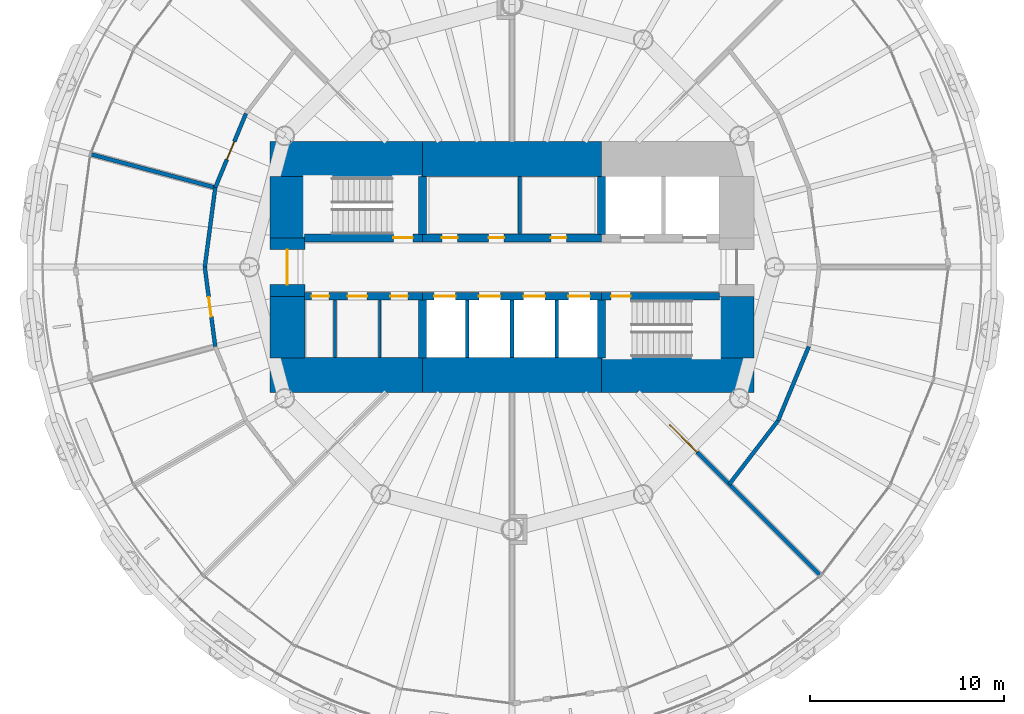
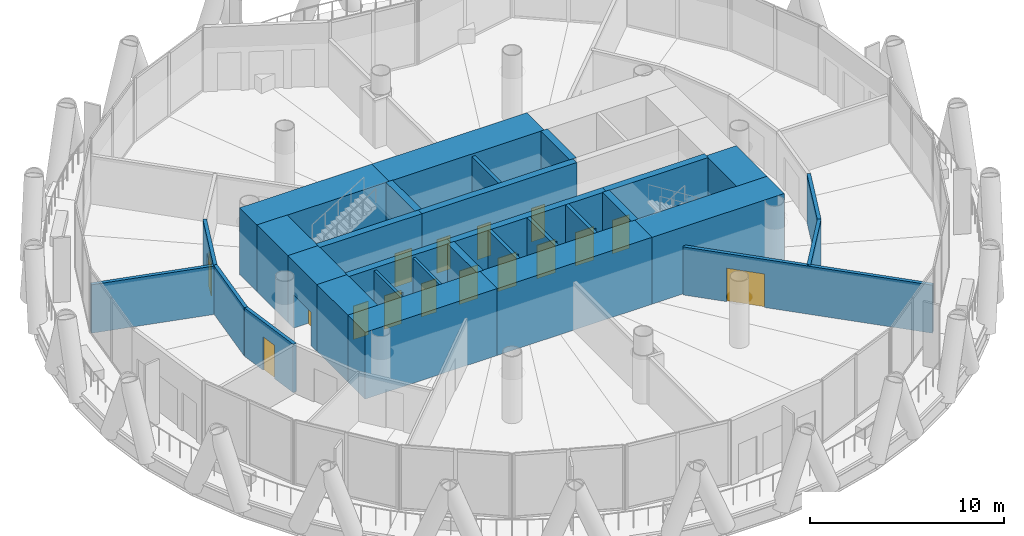
# One storey, part 10 of 15: 31 walls, 16 doors, 16 openings.
"""IFC4 building model written with IfcOpenShell, lengths in metres."""

from ifc_helpers import new_model, si_unit, direction, frame, frame_2d, origin, place, context, subcontext, project, spatial, rectangle, extrude, material, layer, layer_set, type_object, element, fill, save


model = new_model("IFC4")

# Units and contexts
model_context = context("Model", 3, precision=1e-05, world=origin(), true_north=direction((0.0, 1.0)))
body_context = subcontext(model_context, "Body", "Model", "MODEL_VIEW")
ifc_project = project(units=[si_unit("LENGTHUNIT", "METRE"), si_unit("AREAUNIT", "SQUARE_METRE"), si_unit("VOLUMEUNIT", "CUBIC_METRE"), si_unit("PLANEANGLEUNIT", "RADIAN"), si_unit("MASSUNIT", "GRAM", prefix="KILO")], contexts=[model_context])

# Site, building, storey
site_placement = place(None, origin())
site = spatial("IfcSite", under=ifc_project, at=site_placement, CompositionType="ELEMENT")
building_placement = place(site_placement, origin())
building = spatial("IfcBuilding", under=site, at=building_placement, Name="Qaws Media Tower", CompositionType="ELEMENT")
storey_placement = place(building_placement, frame((0.0, 0.0, 147.800048828125)))
storey = spatial("IfcBuildingStorey", under=building, at=storey_placement, Name="L33", CompositionType="ELEMENT", Elevation=147.800048828125)

# Wall, opening, door
ifc_material_1 = material(Name="Concrete C60/75", Category="concrete")
ifc_layer_1 = layer(ifc_material_1, 0.39990234375)
ifc_layer_set_1 = layer_set([ifc_layer_1], Name="Core inner wall 400")
wall_type_1 = type_object("IfcWallType", Name="Core inner wall 400", PredefinedType="SHEAR", material=ifc_layer_set_1)
wall_1_placement = place(storey_placement, frame((49.330078125, 51.5, 0.0), z_axis=(0.0, 0.0, 1.0), x_axis=(1.0, 0.0, 0.0)))
wall_1 = element("IfcWall", 1, at=wall_1_placement, inside=storey, type_object=wall_type_1, Name="W321 SW4 core wall SPNW L33", PredefinedType="SHEAR", context=body_context, shape_type="SweptSolid", body=[
    extrude(rectangle(XDim=6.06982421875, YDim=0.39990234375, at=frame_2d((3.034912109375, 0.0))), origin(), (0.0, 0.0, 1.0), 4.199951171875),
])
opening_1_placement = place(wall_1_placement, frame((4.570068359375, 0.0, 0.0)))
opening_1 = element("IfcOpeningElement", 2, at=opening_1_placement, cuts=wall_1, Name="Opening D1", PredefinedType="OPENING", context=body_context, shape_type="SweptSolid", body=[
    extrude(rectangle(XDim=1.0, YDim=2.10009765625, at=frame_2d((0.5, 1.050048828125))), frame((0.0, 0.2099609375, 0.0), z_axis=(0.0, -1.0, 0.0), x_axis=(1.0, 0.0, 0.0)), (0.0, 0.0, 1.0), 0.419921875),
])
ifc_material_2 = material(Name="Steel, fire rated", Category="steel")
door_type_1 = type_object("IfcDoorType", Name="Stair door 1000 FD120", OperationType="SINGLE_SWING_LEFT", PredefinedType="DOOR", material=ifc_material_2)
door_1_placement = place(opening_1_placement, origin())
door_1 = element("IfcDoor", 3, at=door_1_placement, inside=storey, type_object=door_type_1, Name="D1 stair S1 door L33 in wall W321", OperationType="SINGLE_SWING_LEFT", OverallHeight=2.10009765625, OverallWidth=1.0, PredefinedType="DOOR", context=body_context, shape_type="SweptSolid", body=[
    extrude(rectangle(XDim=1.0, YDim=2.10009765625, at=frame_2d((0.5, 1.050048828125))), frame((0.0, 0.02490234375, 0.0), z_axis=(0.0, -1.0, 0.0), x_axis=(1.0, 0.0, 0.0)), (0.0, 0.0, 1.0), 0.050048828125),
])
fill(opening_1, door_1)

# Wall, openings, doors
wall_2_placement = place(storey_placement, frame((55.39990234375, 51.5, 0.0), z_axis=(0.0, 0.0, 1.0), x_axis=(1.0, 0.0, 0.0)))
wall_2 = element("IfcWall", 4, at=wall_2_placement, inside=storey, type_object=wall_type_1, Name="W314 SW4 core wall SPN L33", PredefinedType="SHEAR", context=body_context, shape_type="SweptSolid", body=[
    extrude(rectangle(XDim=9.2001953125, YDim=0.39990234375, at=frame_2d((4.60009765625, 0.0))), origin(), (0.0, 0.0, 1.0), 4.199951171875),
])
opening_2_placement = place(wall_2_placement, frame((1.0, 0.0, 0.0)))
opening_2 = element("IfcOpeningElement", 5, at=opening_2_placement, cuts=wall_2, Name="Opening D23", PredefinedType="OPENING", context=body_context, shape_type="SweptSolid", body=[
    extrude(rectangle(XDim=0.800048828125, YDim=2.10009765625, at=frame_2d((0.39990234375, 1.050048828125))), frame((0.0, 0.2099609375, 0.0), z_axis=(0.0, -1.0, 0.0), x_axis=(1.0, 0.0, 0.0)), (0.0, 0.0, 1.0), 0.419921875),
])
opening_3_placement = place(wall_2_placement, frame((3.39990234375, 0.0, 0.0)))
opening_3 = element("IfcOpeningElement", 6, at=opening_3_placement, cuts=wall_2, Name="Opening D23", PredefinedType="OPENING", context=body_context, shape_type="SweptSolid", body=[
    extrude(rectangle(XDim=0.800048828125, YDim=2.10009765625, at=frame_2d((0.39990234375, 1.050048828125))), frame((0.0, 0.2099609375, 0.0), z_axis=(0.0, -1.0, 0.0), x_axis=(1.0, 0.0, 0.0)), (0.0, 0.0, 1.0), 0.419921875),
])
opening_4_placement = place(wall_2_placement, frame((6.60009765625, 0.0, 0.0)))
opening_4 = element("IfcOpeningElement", 7, at=opening_4_placement, cuts=wall_2, Name="Opening D23", PredefinedType="OPENING", context=body_context, shape_type="SweptSolid", body=[
    extrude(rectangle(XDim=0.800048828125, YDim=2.10009765625, at=frame_2d((0.39990234375, 1.050048828125))), frame((0.0, 0.2099609375, 0.0), z_axis=(0.0, -1.0, 0.0), x_axis=(1.0, 0.0, 0.0)), (0.0, 0.0, 1.0), 0.419921875),
])
ifc_material_3 = material(Name="Steel, fire rated", Category="steel")
door_type_2 = type_object("IfcDoorType", Name="Core room door 800x2100", OperationType="SINGLE_SWING_LEFT", PredefinedType="DOOR", material=ifc_material_3)
door_2_placement = place(opening_2_placement, origin())
door_2 = element("IfcDoor", 8, at=door_2_placement, inside=storey, type_object=door_type_2, Name="D23 Ladies toilets door L33 1 in wall W314", OperationType="SINGLE_SWING_LEFT", OverallHeight=2.10009765625, OverallWidth=0.800048828125, PredefinedType="DOOR", context=body_context, shape_type="SweptSolid", body=[
    extrude(rectangle(XDim=0.800048828125, YDim=2.10009765625, at=frame_2d((0.39990234375, 1.050048828125))), frame((0.0, 0.02490234375, 0.0), z_axis=(0.0, -1.0, 0.0), x_axis=(1.0, 0.0, 0.0)), (0.0, 0.0, 1.0), 0.050048828125),
])
fill(opening_2, door_2)
door_3_placement = place(opening_3_placement, origin())
door_3 = element("IfcDoor", 9, at=door_3_placement, inside=storey, type_object=door_type_2, Name="D23 Ladies toilets door L33 2 in wall W314", OperationType="SINGLE_SWING_LEFT", OverallHeight=2.10009765625, OverallWidth=0.800048828125, PredefinedType="DOOR", context=body_context, shape_type="SweptSolid", body=[
    extrude(rectangle(XDim=0.800048828125, YDim=2.10009765625, at=frame_2d((0.39990234375, 1.050048828125))), frame((0.0, 0.02490234375, 0.0), z_axis=(0.0, -1.0, 0.0), x_axis=(1.0, 0.0, 0.0)), (0.0, 0.0, 1.0), 0.050048828125),
])
fill(opening_3, door_3)
door_4_placement = place(opening_4_placement, origin())
door_4 = element("IfcDoor", 10, at=door_4_placement, inside=storey, type_object=door_type_2, Name="D23 Gents toilets door L33 in wall W314", OperationType="SINGLE_SWING_LEFT", OverallHeight=2.10009765625, OverallWidth=0.800048828125, PredefinedType="DOOR", context=body_context, shape_type="SweptSolid", body=[
    extrude(rectangle(XDim=0.800048828125, YDim=2.10009765625, at=frame_2d((0.39990234375, 1.050048828125))), frame((0.0, 0.02490234375, 0.0), z_axis=(0.0, -1.0, 0.0), x_axis=(1.0, 0.0, 0.0)), (0.0, 0.0, 1.0), 0.050048828125),
])
fill(opening_4, door_4)

wall_3_placement = place(storey_placement, frame((49.330078125, 48.5, 0.0), z_axis=(0.0, 0.0, 1.0), x_axis=(1.0, 0.0, 0.0)))
wall_3 = element("IfcWall", 11, at=wall_3_placement, inside=storey, type_object=wall_type_1, Name="W320 SW4 core wall SPSW L33", PredefinedType="SHEAR", context=body_context, shape_type="SweptSolid", body=[
    extrude(rectangle(XDim=6.06982421875, YDim=0.39990234375, at=frame_2d((3.034912109375, 0.0))), origin(), (0.0, 0.0, 1.0), 4.199951171875),
])
opening_5_placement = place(wall_3_placement, frame((0.3701171875, 0.0, 0.0)))
opening_5 = element("IfcOpeningElement", 12, at=opening_5_placement, cuts=wall_3, Name="Opening D25", PredefinedType="OPENING", context=body_context, shape_type="SweptSolid", body=[
    extrude(rectangle(XDim=0.89990234375, YDim=2.10009765625, at=frame_2d((0.449951171875, 1.050048828125))), frame((0.0, 0.2099609375, 0.0), z_axis=(0.0, -1.0, 0.0), x_axis=(1.0, 0.0, 0.0)), (0.0, 0.0, 1.0), 0.419921875),
])
opening_6_placement = place(wall_3_placement, frame((2.219970703125, 0.0, 0.0)))
opening_6 = element("IfcOpeningElement", 13, at=opening_6_placement, cuts=wall_3, Name="Opening D4", PredefinedType="OPENING", context=body_context, shape_type="SweptSolid", body=[
    extrude(rectangle(XDim=1.0, YDim=2.10009765625, at=frame_2d((0.5, 1.050048828125))), frame((0.0, 0.2099609375, 0.0), z_axis=(0.0, -1.0, 0.0), x_axis=(1.0, 0.0, 0.0)), (0.0, 0.0, 1.0), 0.419921875),
])
opening_7_placement = place(wall_3_placement, frame((4.419921875, 0.0, 0.0)))
opening_7 = element("IfcOpeningElement", 14, at=opening_7_placement, cuts=wall_3, Name="Opening D25", PredefinedType="OPENING", context=body_context, shape_type="SweptSolid", body=[
    extrude(rectangle(XDim=0.89990234375, YDim=2.10009765625, at=frame_2d((0.449951171875, 1.050048828125))), frame((0.0, 0.2099609375, 0.0), z_axis=(0.0, -1.0, 0.0), x_axis=(1.0, 0.0, 0.0)), (0.0, 0.0, 1.0), 0.419921875),
])
ifc_material_4 = material(Name="Timber veneered", Category="wood")
door_type_3 = type_object("IfcDoorType", Name="Accessible WC door 1000", OperationType="SLIDING_TO_LEFT", PredefinedType="DOOR", material=ifc_material_4)
door_5_placement = place(opening_6_placement, origin())
door_5 = element("IfcDoor", 15, at=door_5_placement, inside=storey, type_object=door_type_3, Name="D4 toilet door 2 L33 in wall W320", OperationType="SLIDING_TO_LEFT", OverallHeight=2.10009765625, OverallWidth=1.0, PredefinedType="DOOR", context=body_context, shape_type="SweptSolid", body=[
    extrude(rectangle(XDim=1.0, YDim=2.10009765625, at=frame_2d((0.5, 1.050048828125))), frame((0.0, 0.02490234375, 0.0), z_axis=(0.0, -1.0, 0.0), x_axis=(1.0, 0.0, 0.0)), (0.0, 0.0, 1.0), 0.050048828125),
])
fill(opening_6, door_5)
ifc_material_5 = material(Name="Steel, fire rated", Category="steel")
door_type_4 = type_object("IfcDoorType", Name="Core service door 900", OperationType="SINGLE_SWING_RIGHT", PredefinedType="DOOR", material=ifc_material_5)
door_6_placement = place(opening_5_placement, origin())
door_6 = element("IfcDoor", 16, at=door_6_placement, inside=storey, type_object=door_type_4, Name="D25 toilet door 1 L33 in wall W320", OperationType="SINGLE_SWING_RIGHT", OverallHeight=2.10009765625, OverallWidth=0.89990234375, PredefinedType="DOOR", context=body_context, shape_type="SweptSolid", body=[
    extrude(rectangle(XDim=0.89990234375, YDim=2.10009765625, at=frame_2d((0.449951171875, 1.050048828125))), frame((0.0, 0.02490234375, 0.0), z_axis=(0.0, -1.0, 0.0), x_axis=(1.0, 0.0, 0.0)), (0.0, 0.0, 1.0), 0.050048828125),
])
fill(opening_5, door_6)
door_7_placement = place(opening_7_placement, origin())
door_7 = element("IfcDoor", 17, at=door_7_placement, inside=storey, type_object=door_type_4, Name="D25 toilet door 3 L33 in wall W320", OperationType="SINGLE_SWING_RIGHT", OverallHeight=2.10009765625, OverallWidth=0.89990234375, PredefinedType="DOOR", context=body_context, shape_type="SweptSolid", body=[
    extrude(rectangle(XDim=0.89990234375, YDim=2.10009765625, at=frame_2d((0.449951171875, 1.050048828125))), frame((0.0, 0.02490234375, 0.0), z_axis=(0.0, -1.0, 0.0), x_axis=(1.0, 0.0, 0.0)), (0.0, 0.0, 1.0), 0.050048828125),
])
fill(opening_7, door_7)

wall_4_placement = place(storey_placement, frame((55.39990234375, 48.5, 0.0), z_axis=(0.0, 0.0, 1.0), x_axis=(1.0, 0.0, 0.0)))
wall_4 = element("IfcWall", 18, at=wall_4_placement, inside=storey, type_object=wall_type_1, Name="W313 SW4 core wall SPS L33", PredefinedType="SHEAR", context=body_context, shape_type="SweptSolid", body=[
    extrude(rectangle(XDim=9.2001953125, YDim=0.39990234375, at=frame_2d((4.60009765625, 0.0))), origin(), (0.0, 0.0, 1.0), 4.199951171875),
])
opening_8_placement = place(wall_4_placement, frame((0.60009765625, 0.0, 0.0)))
opening_8 = element("IfcOpeningElement", 19, at=opening_8_placement, cuts=wall_4, Name="Opening LD", PredefinedType="OPENING", context=body_context, shape_type="SweptSolid", body=[
    extrude(rectangle(XDim=1.10009765625, YDim=2.10009765625, at=frame_2d((0.550048828125, 1.050048828125))), frame((0.0, 0.2099609375, 0.0), z_axis=(0.0, -1.0, 0.0), x_axis=(1.0, 0.0, 0.0)), (0.0, 0.0, 1.0), 0.419921875),
])
opening_9_placement = place(wall_4_placement, frame((2.89990234375, 0.0, 0.0)))
opening_9 = element("IfcOpeningElement", 20, at=opening_9_placement, cuts=wall_4, Name="Opening LD", PredefinedType="OPENING", context=body_context, shape_type="SweptSolid", body=[
    extrude(rectangle(XDim=1.10009765625, YDim=2.10009765625, at=frame_2d((0.550048828125, 1.050048828125))), frame((0.0, 0.2099609375, 0.0), z_axis=(0.0, -1.0, 0.0), x_axis=(1.0, 0.0, 0.0)), (0.0, 0.0, 1.0), 0.419921875),
])
opening_10_placement = place(wall_4_placement, frame((5.199951171875, 0.0, 0.0)))
opening_10 = element("IfcOpeningElement", 21, at=opening_10_placement, cuts=wall_4, Name="Opening LD", PredefinedType="OPENING", context=body_context, shape_type="SweptSolid", body=[
    extrude(rectangle(XDim=1.10009765625, YDim=2.10009765625, at=frame_2d((0.550048828125, 1.050048828125))), frame((0.0, 0.2099609375, 0.0), z_axis=(0.0, -1.0, 0.0), x_axis=(1.0, 0.0, 0.0)), (0.0, 0.0, 1.0), 0.419921875),
])
opening_11_placement = place(wall_4_placement, frame((7.5, 0.0, 0.0)))
opening_11 = element("IfcOpeningElement", 22, at=opening_11_placement, cuts=wall_4, Name="Opening LD", PredefinedType="OPENING", context=body_context, shape_type="SweptSolid", body=[
    extrude(rectangle(XDim=1.10009765625, YDim=2.10009765625, at=frame_2d((0.550048828125, 1.050048828125))), frame((0.0, 0.2099609375, 0.0), z_axis=(0.0, -1.0, 0.0), x_axis=(1.0, 0.0, 0.0)), (0.0, 0.0, 1.0), 0.419921875),
])
ifc_material_6 = material(Name="Steel, fire rated", Category="steel")
door_type_5 = type_object("IfcDoorType", Name="Lift landing door 1100", OperationType="SLIDING_TO_LEFT", PredefinedType="DOOR", material=ifc_material_6)
door_8_placement = place(opening_8_placement, origin())
door_8 = element("IfcDoor", 23, at=door_8_placement, inside=storey, type_object=door_type_5, Name="P5 landing door L33 in wall W313", OperationType="SLIDING_TO_LEFT", OverallHeight=2.10009765625, OverallWidth=1.10009765625, PredefinedType="DOOR", context=body_context, shape_type="SweptSolid", body=[
    extrude(rectangle(XDim=1.10009765625, YDim=2.10009765625, at=frame_2d((0.550048828125, 1.050048828125))), frame((0.0, 0.02490234375, 0.0), z_axis=(0.0, -1.0, 0.0), x_axis=(1.0, 0.0, 0.0)), (0.0, 0.0, 1.0), 0.050048828125),
])
fill(opening_8, door_8)
door_9_placement = place(opening_9_placement, origin())
door_9 = element("IfcDoor", 24, at=door_9_placement, inside=storey, type_object=door_type_5, Name="P6 landing door L33 in wall W313", OperationType="SLIDING_TO_LEFT", OverallHeight=2.10009765625, OverallWidth=1.10009765625, PredefinedType="DOOR", context=body_context, shape_type="SweptSolid", body=[
    extrude(rectangle(XDim=1.10009765625, YDim=2.10009765625, at=frame_2d((0.550048828125, 1.050048828125))), frame((0.0, 0.02490234375, 0.0), z_axis=(0.0, -1.0, 0.0), x_axis=(1.0, 0.0, 0.0)), (0.0, 0.0, 1.0), 0.050048828125),
])
fill(opening_9, door_9)
door_10_placement = place(opening_10_placement, origin())
door_10 = element("IfcDoor", 25, at=door_10_placement, inside=storey, type_object=door_type_5, Name="P7 landing door L33 in wall W313", OperationType="SLIDING_TO_LEFT", OverallHeight=2.10009765625, OverallWidth=1.10009765625, PredefinedType="DOOR", context=body_context, shape_type="SweptSolid", body=[
    extrude(rectangle(XDim=1.10009765625, YDim=2.10009765625, at=frame_2d((0.550048828125, 1.050048828125))), frame((0.0, 0.02490234375, 0.0), z_axis=(0.0, -1.0, 0.0), x_axis=(1.0, 0.0, 0.0)), (0.0, 0.0, 1.0), 0.050048828125),
])
fill(opening_10, door_10)
door_11_placement = place(opening_11_placement, origin())
door_11 = element("IfcDoor", 26, at=door_11_placement, inside=storey, type_object=door_type_5, Name="P8 landing door L33 in wall W313", OperationType="SLIDING_TO_LEFT", OverallHeight=2.10009765625, OverallWidth=1.10009765625, PredefinedType="DOOR", context=body_context, shape_type="SweptSolid", body=[
    extrude(rectangle(XDim=1.10009765625, YDim=2.10009765625, at=frame_2d((0.550048828125, 1.050048828125))), frame((0.0, 0.02490234375, 0.0), z_axis=(0.0, -1.0, 0.0), x_axis=(1.0, 0.0, 0.0)), (0.0, 0.0, 1.0), 0.050048828125),
])
fill(opening_11, door_11)

# Wall, opening, door
wall_5_placement = place(storey_placement, frame((64.60009765625, 48.5, 0.0), z_axis=(0.0, 0.0, 1.0), x_axis=(1.0, 0.0, 0.0)))
wall_5 = element("IfcWall", 27, at=wall_5_placement, inside=storey, type_object=wall_type_1, Name="W325 SW4 core wall SPSE L33", PredefinedType="SHEAR", context=body_context, shape_type="SweptSolid", body=[
    extrude(rectangle(XDim=6.06982421875, YDim=0.39990234375, at=frame_2d((3.034912109375, 0.0))), origin(), (0.0, 0.0, 1.0), 4.199951171875),
])
opening_12_placement = place(wall_5_placement, frame((0.5, 0.0, 0.0)))
opening_12 = element("IfcOpeningElement", 28, at=opening_12_placement, cuts=wall_5, Name="Opening D1", PredefinedType="OPENING", context=body_context, shape_type="SweptSolid", body=[
    extrude(rectangle(XDim=1.0, YDim=2.10009765625, at=frame_2d((0.5, 1.050048828125))), frame((0.0, 0.2099609375, 0.0), z_axis=(0.0, -1.0, 0.0), x_axis=(1.0, 0.0, 0.0)), (0.0, 0.0, 1.0), 0.419921875),
])
door_12_placement = place(opening_12_placement, origin())
door_12 = element("IfcDoor", 29, at=door_12_placement, inside=storey, type_object=door_type_1, Name="D1 stair S2 door L33 in wall W325", OperationType="SINGLE_SWING_LEFT", OverallHeight=2.10009765625, OverallWidth=1.0, PredefinedType="DOOR", context=body_context, shape_type="SweptSolid", body=[
    extrude(rectangle(XDim=1.0, YDim=2.10009765625, at=frame_2d((0.5, 1.050048828125))), frame((0.0, 0.02490234375, 0.0), z_axis=(0.0, -1.0, 0.0), x_axis=(1.0, 0.0, 0.0)), (0.0, 0.0, 1.0), 0.050048828125),
])
fill(opening_12, door_12)

# Walls
for number, where, z_axis, x_axis, name in (
    (30, (55.39990234375, 51.679931640625, 0.0), (0.0, 0.0, 1.0), (0.0, 1.0, 0.0), "W323 SW4 core wall XNW L33"),
    (31, (64.60009765625, 51.679931640625, 0.0), (0.0, 0.0, 1.0), (0.0, 1.0, 0.0), "W327 SW4 core wall XNE L33"),
    (32, (55.39990234375, 48.320068359375, 0.0), (0.0, 0.0, 1.0), (0.0, -1.0, 0.0), "W322 SW4 core wall XSW L33"),
    (33, (64.60009765625, 48.320068359375, 0.0), (0.0, 0.0, 1.0), (0.0, -1.0, 0.0), "W324 SW4 core wall XSE L33"),
):
    element("IfcWall", number, at=place(storey_placement, frame(where, z_axis=z_axis, x_axis=x_axis)), inside=storey, type_object=wall_type_1, Name=name, PredefinedType="SHEAR", context=body_context, shape_type="SweptSolid", body=[
        extrude(rectangle(XDim=2.989990234375, YDim=0.39990234375, at=frame_2d((1.4951171875, 0.0))), origin(), (0.0, 0.0, 1.0), 4.199951171875),
    ])
ifc_material_7 = material(Name="Concrete C60/75", Category="concrete")
ifc_layer_2 = layer(ifc_material_7, 1.800048828125)
ifc_layer_set_2 = layer_set([ifc_layer_2], Name="Core wall 1800")
wall_type_2 = type_object("IfcWallType", Name="Core wall 1800", PredefinedType="SHEAR", material=ifc_layer_set_2)
wall_6_placement = place(storey_placement, frame((47.550048828125, 55.550048828125, 0.0), z_axis=(0.0, 0.0, 1.0), x_axis=(1.0, 0.0, 0.0)))
element("IfcWall", 34, at=wall_6_placement, inside=storey, type_object=wall_type_2, Name="W417 SW11 core wall NW L33", PredefinedType="SHEAR", context=body_context, shape_type="SweptSolid", body=[
    extrude(rectangle(XDim=7.849853515625, YDim=1.800048828125, at=frame_2d((3.9248046875, 0.0))), origin(), (0.0, 0.0, 1.0), 4.199951171875),
])
wall_7_placement = place(storey_placement, frame((55.39990234375, 55.550048828125, 0.0), z_axis=(0.0, 0.0, 1.0), x_axis=(1.0, 0.0, 0.0)))
element("IfcWall", 35, at=wall_7_placement, inside=storey, type_object=wall_type_2, Name="W421 SW11 core wall N L33", PredefinedType="SHEAR", context=body_context, shape_type="SweptSolid", body=[
    extrude(rectangle(XDim=9.2001953125, YDim=1.800048828125, at=frame_2d((4.60009765625, 0.0))), origin(), (0.0, 0.0, 1.0), 4.199951171875),
])
wall_8_placement = place(storey_placement, frame((47.550048828125, 44.449951171875, 0.0), z_axis=(0.0, 0.0, 1.0), x_axis=(1.0, 0.0, 0.0)))
element("IfcWall", 36, at=wall_8_placement, inside=storey, type_object=wall_type_2, Name="W416 SW11 core wall SW L33", PredefinedType="SHEAR", context=body_context, shape_type="SweptSolid", body=[
    extrude(rectangle(XDim=7.849853515625, YDim=1.800048828125, at=frame_2d((3.9248046875, 0.0))), origin(), (0.0, 0.0, 1.0), 4.199951171875),
])
wall_9_placement = place(storey_placement, frame((55.39990234375, 44.449951171875, 0.0), z_axis=(0.0, 0.0, 1.0), x_axis=(1.0, 0.0, 0.0)))
element("IfcWall", 37, at=wall_9_placement, inside=storey, type_object=wall_type_2, Name="W420 SW11 core wall S L33", PredefinedType="SHEAR", context=body_context, shape_type="SweptSolid", body=[
    extrude(rectangle(XDim=9.2001953125, YDim=1.800048828125, at=frame_2d((4.60009765625, 0.0))), origin(), (0.0, 0.0, 1.0), 4.199951171875),
])
wall_10_placement = place(storey_placement, frame((64.60009765625, 44.449951171875, 0.0), z_axis=(0.0, 0.0, 1.0), x_axis=(1.0, 0.0, 0.0)))
element("IfcWall", 38, at=wall_10_placement, inside=storey, type_object=wall_type_2, Name="W422 SW11 core wall SE L33", PredefinedType="SHEAR", context=body_context, shape_type="SweptSolid", body=[
    extrude(rectangle(XDim=7.849853515625, YDim=1.800048828125, at=frame_2d((3.9248046875, 0.0))), origin(), (0.0, 0.0, 1.0), 4.199951171875),
])
for number, where, z_axis, x_axis, name in (
    (39, (71.550048828125, 45.330078125, 0.0), (0.0, 0.0, 1.0), (0.0, 1.0, 0.0), "W424 SW11 core wall ES L33"),
    (40, (48.449951171875, 45.330078125, 0.0), (0.0, 0.0, 1.0), (0.0, 1.0, 0.0), "W418 SW11 core wall WS L33"),
):
    element("IfcWall", number, at=place(storey_placement, frame(where, z_axis=z_axis, x_axis=x_axis)), inside=storey, type_object=wall_type_2, Name=name, PredefinedType="SHEAR", context=body_context, shape_type="SweptSolid", body=[
        extrude(rectangle(XDim=3.169921875, YDim=1.800048828125, at=frame_2d((1.5849609375, 0.0))), origin(), (0.0, 0.0, 1.0), 4.199951171875),
    ])

# Wall, opening, door
wall_11_placement = place(storey_placement, frame((48.449951171875, 48.5, 0.0), z_axis=(0.0, 0.0, 1.0), x_axis=(0.0, 1.0, 0.0)))
wall_11 = element("IfcWall", 41, at=wall_11_placement, inside=storey, type_object=wall_type_2, Name="W426 SW11 core wall W L33", PredefinedType="SHEAR", context=body_context, shape_type="SweptSolid", body=[
    extrude(rectangle(XDim=3.0, YDim=1.800048828125, at=frame_2d((1.5, 0.0))), origin(), (0.0, 0.0, 1.0), 4.199951171875),
])
opening_13_placement = place(wall_11_placement, frame((0.60009765625, 0.0, 0.0)))
opening_13 = element("IfcOpeningElement", 42, at=opening_13_placement, cuts=wall_11, Name="Opening D2", PredefinedType="OPENING", context=body_context, shape_type="SweptSolid", body=[
    extrude(rectangle(XDim=1.800048828125, YDim=2.10009765625, at=frame_2d((0.89990234375, 1.050048828125))), frame((0.0, 0.909912109375, 0.0), z_axis=(0.0, -1.0, 0.0), x_axis=(1.0, 0.0, 0.0)), (0.0, 0.0, 1.0), 1.820068359375),
])
ifc_material_8 = material(Name="Steel and glass, fire rated", Category="steel")
door_type_6 = type_object("IfcDoorType", Name="Lobby door pair 1800 FD60", OperationType="DOUBLE_DOOR_DOUBLE_SWING", PredefinedType="DOOR", material=ifc_material_8)
door_13_placement = place(opening_13_placement, origin())
door_13 = element("IfcDoor", 43, at=door_13_placement, inside=storey, type_object=door_type_6, Name="D2 core lobby door W L33 in wall W426", OperationType="DOUBLE_DOOR_DOUBLE_SWING", OverallHeight=2.10009765625, OverallWidth=1.800048828125, PredefinedType="DOOR", context=body_context, shape_type="SweptSolid", body=[
    extrude(rectangle(XDim=1.800048828125, YDim=2.10009765625, at=frame_2d((0.89990234375, 1.050048828125))), frame((0.0, 0.02490234375, 0.0), z_axis=(0.0, -1.0, 0.0), x_axis=(1.0, 0.0, 0.0)), (0.0, 0.0, 1.0), 0.050048828125),
])
fill(opening_13, door_13)

# Wall
wall_12_placement = place(storey_placement, frame((48.449951171875, 51.5, 0.0), z_axis=(0.0, 0.0, 1.0), x_axis=(0.0, 1.0, 0.0)))
element("IfcWall", 44, at=wall_12_placement, inside=storey, type_object=wall_type_2, Name="W419 SW11 core wall WN L33", PredefinedType="SHEAR", context=body_context, shape_type="SweptSolid", body=[
    extrude(rectangle(XDim=3.169921875, YDim=1.800048828125, at=frame_2d((1.5849609375, 0.0))), origin(), (0.0, 0.0, 1.0), 4.199951171875),
])

# Wall, opening, door
ifc_material_9 = material(Name="Gypsum board on galvanised metal studs, acoustic double stud, deflection head", Category="gypsum")
ifc_layer_3 = layer(ifc_material_9, 0.199951171875)
ifc_layer_set_3 = layer_set([ifc_layer_3], Name="Room partition 200")
wall_type_3 = type_object("IfcWallType", Name="Room partition 200", PredefinedType="PARTITIONING", material=ifc_layer_set_3)
wall_13_placement = place(storey_placement, frame((44.73828125, 45.91064453125, 0.0), z_axis=(0.0, 0.0, 1.0), x_axis=(-0.130515758099, 0.991446234996, 0.0)))
wall_13 = element("IfcWall", 45, at=wall_13_placement, inside=storey, type_object=wall_type_3, Name="W943 IW3 partition L33", PredefinedType="PARTITIONING", context=body_context, shape_type="SweptSolid", body=[
    extrude(rectangle(XDim=4.124755859375, YDim=0.199951171875, at=frame_2d((2.0625, 0.0))), origin(), (0.0, 0.0, 1.0), 3.0400390625),
])
opening_14_placement = place(wall_13_placement, frame((1.562255859375, 0.0, 0.0)))
opening_14 = element("IfcOpeningElement", 46, at=opening_14_placement, cuts=wall_13, Name="Opening D5", PredefinedType="OPENING", context=body_context, shape_type="SweptSolid", body=[
    extrude(rectangle(XDim=1.0, YDim=2.10009765625, at=frame_2d((0.5, 1.050048828125))), frame((0.0, 0.10986328125, 0.0), z_axis=(0.0, -1.0, 0.0), x_axis=(1.0, 0.0, 0.0)), (0.0, 0.0, 1.0), 0.219970703125),
])
ifc_material_10 = material(Name="Timber veneered, acoustic seal", Category="wood")
door_type_7 = type_object("IfcDoorType", Name="Room door 1000", OperationType="SINGLE_SWING_LEFT", PredefinedType="DOOR", material=ifc_material_10)
door_14_placement = place(opening_14_placement, origin())
door_14 = element("IfcDoor", 47, at=door_14_placement, inside=storey, type_object=door_type_7, Name="D5 Server room door L33 in wall W943", OperationType="SINGLE_SWING_LEFT", OverallHeight=2.10009765625, OverallWidth=1.0, PredefinedType="DOOR", context=body_context, shape_type="SweptSolid", body=[
    extrude(rectangle(XDim=1.0, YDim=2.10009765625, at=frame_2d((0.5, 1.050048828125))), frame((0.0, 0.02490234375, 0.0), z_axis=(0.0, -1.0, 0.0), x_axis=(1.0, 0.0, 0.0)), (0.0, 0.0, 1.0), 0.050048828125),
])
fill(opening_14, door_14)

# Wall
wall_14_placement = place(storey_placement, frame((44.199951171875, 50.0, 0.0), z_axis=(0.0, 0.0, 1.0), x_axis=(0.130515758099, 0.991446234996, 0.0)))
element("IfcWall", 48, at=wall_14_placement, inside=storey, type_object=wall_type_3, Name="W941 IW3 partition L33", PredefinedType="PARTITIONING", context=body_context, shape_type="SweptSolid", body=[
    extrude(rectangle(XDim=4.124755859375, YDim=0.199951171875, at=frame_2d((2.0625, 0.0))), origin(), (0.0, 0.0, 1.0), 3.0400390625),
])

# Wall, opening, door
wall_15_placement = place(storey_placement, frame((44.73828125, 54.08935546875, 0.0), z_axis=(0.0, 0.0, 1.0), x_axis=(0.382731667114, 0.923859551549, 0.0)))
wall_15 = element("IfcWall", 49, at=wall_15_placement, inside=storey, type_object=wall_type_3, Name="W944 IW3 partition L33", PredefinedType="PARTITIONING", context=body_context, shape_type="SweptSolid", body=[
    extrude(rectangle(XDim=4.12451171875, YDim=0.199951171875, at=frame_2d((2.062255859375, 0.0))), origin(), (0.0, 0.0, 1.0), 3.0400390625),
])
opening_15_placement = place(wall_15_placement, frame((1.562255859375, 0.0, 0.0)))
opening_15 = element("IfcOpeningElement", 50, at=opening_15_placement, cuts=wall_15, Name="Opening D5", PredefinedType="OPENING", context=body_context, shape_type="SweptSolid", body=[
    extrude(rectangle(XDim=1.0, YDim=2.10009765625, at=frame_2d((0.5, 1.050048828125))), frame((0.0, 0.10986328125, 0.0), z_axis=(0.0, -1.0, 0.0), x_axis=(1.0, 0.0, 0.0)), (0.0, 0.0, 1.0), 0.219970703125),
])
door_15_placement = place(opening_15_placement, origin())
door_15 = element("IfcDoor", 51, at=door_15_placement, inside=storey, type_object=door_type_7, Name="D5 Help desk door L33 in wall W944", OperationType="SINGLE_SWING_LEFT", OverallHeight=2.10009765625, OverallWidth=1.0, PredefinedType="DOOR", context=body_context, shape_type="SweptSolid", body=[
    extrude(rectangle(XDim=1.0, YDim=2.10009765625, at=frame_2d((0.5, 1.050048828125))), frame((0.0, 0.02490234375, 0.0), z_axis=(0.0, -1.0, 0.0), x_axis=(1.0, 0.0, 0.0)), (0.0, 0.0, 1.0), 0.050048828125),
])
fill(opening_15, door_15)

# Walls
wall_16_placement = place(storey_placement, frame((75.26171875, 45.91064453125, 0.0), z_axis=(0.0, 0.0, 1.0), x_axis=(-0.382731667114, -0.923859551549, 0.0)))
element("IfcWall", 52, at=wall_16_placement, inside=storey, type_object=wall_type_3, Name="W957 IW3 partition L33", PredefinedType="PARTITIONING", context=body_context, shape_type="SweptSolid", body=[
    extrude(rectangle(XDim=4.12451171875, YDim=0.199951171875, at=frame_2d((2.062255859375, 0.0))), origin(), (0.0, 0.0, 1.0), 3.0400390625),
])
wall_17_placement = place(storey_placement, frame((73.68310546875, 42.10009765625, 0.0), z_axis=(0.0, 0.0, 1.0), x_axis=(-0.608714823874, -0.793389099494, 0.0)))
element("IfcWall", 53, at=wall_17_placement, inside=storey, type_object=wall_type_3, Name="W954 IW3 partition L33", PredefinedType="PARTITIONING", context=body_context, shape_type="SweptSolid", body=[
    extrude(rectangle(XDim=4.124755859375, YDim=0.199951171875, at=frame_2d((2.0625, 0.0))), origin(), (0.0, 0.0, 1.0), 3.0400390625),
])
wall_18_placement = place(storey_placement, frame((44.73828125, 54.08935546875, 0.0), z_axis=(0.0, 0.0, 1.0), x_axis=(-0.965929586934, 0.258805009775, 0.0)))
element("IfcWall", 54, at=wall_18_placement, inside=storey, type_object=wall_type_3, Name="W1314 IW3 partition L33", PredefinedType="PARTITIONING", context=body_context, shape_type="SweptSolid", body=[
    extrude(rectangle(XDim=6.60986328125, YDim=0.199951171875, at=frame_2d((3.304931640625, 0.0))), origin(), (0.0, 0.0, 1.0), 3.0400390625),
])

# Wall, opening, door
wall_19_placement = place(storey_placement, frame((66.449951171875, 43.550048828125, 0.0), z_axis=(0.0, 0.0, 1.0), x_axis=(0.707106781187, -0.707106781187, 0.0)))
wall_19 = element("IfcWall", 55, at=wall_19_placement, inside=storey, type_object=wall_type_3, Name="W1323 IW3 partition L33", PredefinedType="PARTITIONING", context=body_context, shape_type="SweptSolid", body=[
    extrude(rectangle(XDim=13.288330078125, YDim=0.199951171875, at=frame_2d((6.64404296875, 0.0))), origin(), (0.0, 0.0, 1.0), 3.02001953125),
])
opening_16_placement = place(wall_19_placement, frame((2.339111328125, 0.0, 0.0)))
opening_16 = element("IfcOpeningElement", 56, at=opening_16_placement, cuts=wall_19, Name="Opening D6", PredefinedType="OPENING", context=body_context, shape_type="SweptSolid", body=[
    extrude(rectangle(XDim=2.0, YDim=2.10009765625, at=frame_2d((1.0, 1.050048828125))), frame((0.0, 0.10986328125, 0.0), z_axis=(0.0, -1.0, 0.0), x_axis=(1.0, 0.0, 0.0)), (0.0, 0.0, 1.0), 0.219970703125),
])
ifc_material_11 = material(Name="Steel, acoustic, fire rated", Category="steel")
door_type_8 = type_object("IfcDoorType", Name="Room door pair 2000", OperationType="DOUBLE_DOOR_DOUBLE_SWING", PredefinedType="DOOR", material=ifc_material_11)
door_16_placement = place(opening_16_placement, origin())
door_16 = element("IfcDoor", 57, at=door_16_placement, inside=storey, type_object=door_type_8, Name="D6 IT training room door L33 in wall W1323", OperationType="DOUBLE_DOOR_DOUBLE_SWING", OverallHeight=2.10009765625, OverallWidth=2.0, PredefinedType="DOOR", context=body_context, shape_type="SweptSolid", body=[
    extrude(rectangle(XDim=2.0, YDim=2.10009765625, at=frame_2d((1.0, 1.050048828125))), frame((0.0, 0.02490234375, 0.0), z_axis=(0.0, -1.0, 0.0), x_axis=(1.0, 0.0, 0.0)), (0.0, 0.0, 1.0), 0.050048828125),
])
fill(opening_16, door_16)

# Walls
wall_20_placement = place(storey_placement, frame((60.39990234375, 51.699951171875, 0.0), z_axis=(0.0, 0.0, 1.0), x_axis=(0.0, 1.0, 0.0)))
element("IfcWall", 58, at=wall_20_placement, inside=storey, type_object=wall_type_3, Name="W1322 IW3 core room partition 1 L33", PredefinedType="PARTITIONING", context=body_context, shape_type="SweptSolid", body=[
    extrude(rectangle(XDim=2.949951171875, YDim=0.199951171875, at=frame_2d((1.47509765625, 0.0))), origin(), (0.0, 0.0, 1.0), 4.0400390625),
])
ifc_material_12 = material(Name="Fire-rated gypsum board shaft wall on galvanised metal studs, deflection head", Category="gypsum")
ifc_layer_4 = layer(ifc_material_12, 0.199951171875)
ifc_layer_set_4 = layer_set([ifc_layer_4], Name="Shaft wall 200")
wall_type_4 = type_object("IfcWallType", Name="Shaft wall 200", PredefinedType="PARTITIONING", material=ifc_layer_set_4)
for number, where, z_axis, x_axis, name in (
    (59, (57.699951171875, 45.35009765625, 0.0), (0.0, 0.0, 1.0), (0.0, 1.0, 0.0), "W1860 IW1 shaft wall S1 L33"),
    (60, (60.0, 45.35009765625, 0.0), (0.0, 0.0, 1.0), (0.0, 1.0, 0.0), "W1861 IW1 shaft wall S2 L33"),
    (61, (62.300048828125, 45.35009765625, 0.0), (0.0, 0.0, 1.0), (0.0, 1.0, 0.0), "W1862 IW1 shaft wall S3 L33"),
):
    element("IfcWall", number, at=place(storey_placement, frame(where, z_axis=z_axis, x_axis=x_axis)), inside=storey, type_object=wall_type_4, Name=name, PredefinedType="PARTITIONING", context=body_context, shape_type="SweptSolid", body=[
        extrude(rectangle(XDim=2.949951171875, YDim=0.199951171875, at=frame_2d((1.47509765625, 0.0))), origin(), (0.0, 0.0, 1.0), 4.199951171875),
    ])
ifc_material_13 = material(Name="Gypsum board on galvanised metal studs, deflection head", Category="gypsum")
ifc_layer_5 = layer(ifc_material_13, 0.14990234375)
ifc_layer_set_5 = layer_set([ifc_layer_5], Name="WC partition 150")
wall_type_5 = type_object("IfcWallType", Name="WC partition 150", PredefinedType="PARTITIONING", material=ifc_layer_set_5)
for number, where, z_axis, x_axis, name in (
    (62, (50.89990234375, 45.35009765625, 0.0), (0.0, 0.0, 1.0), (0.0, 1.0, 0.0), "W1915 IW2 toilet partition 1 L33"),
    (63, (53.199951171875, 45.35009765625, 0.0), (0.0, 0.0, 1.0), (0.0, 1.0, 0.0), "W1913 IW2 toilet partition 2 L33"),
):
    element("IfcWall", number, at=place(storey_placement, frame(where, z_axis=z_axis, x_axis=x_axis)), inside=storey, type_object=wall_type_5, Name=name, PredefinedType="PARTITIONING", context=body_context, shape_type="SweptSolid", body=[
        extrude(rectangle(XDim=2.949951171875, YDim=0.14990234375, at=frame_2d((1.47509765625, 0.0))), origin(), (0.0, 0.0, 1.0), 4.0400390625),
    ])

save(model, "model.ifc")
